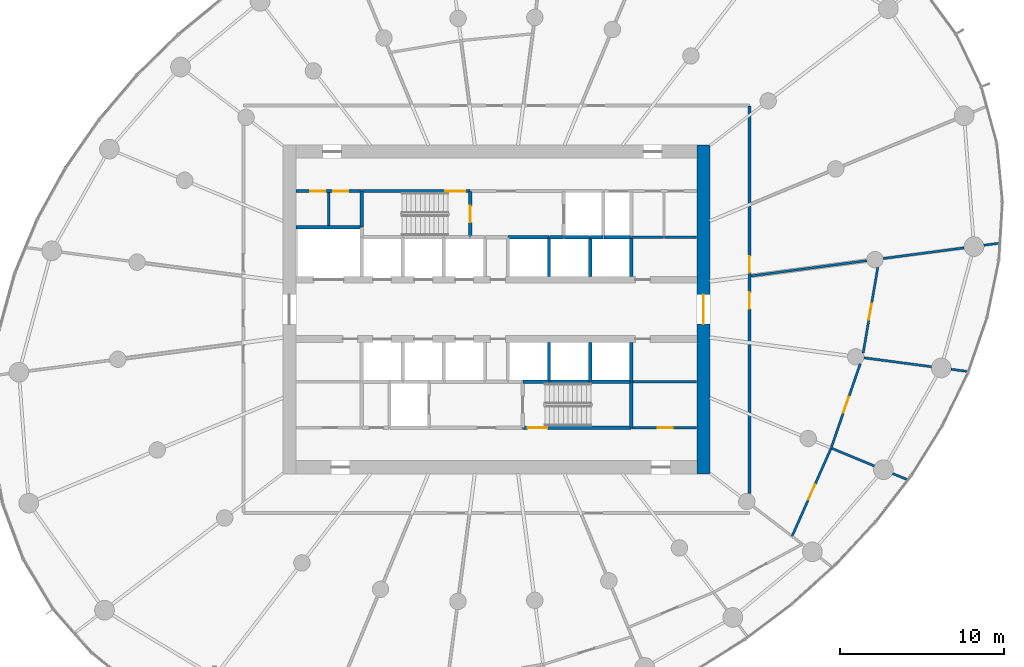
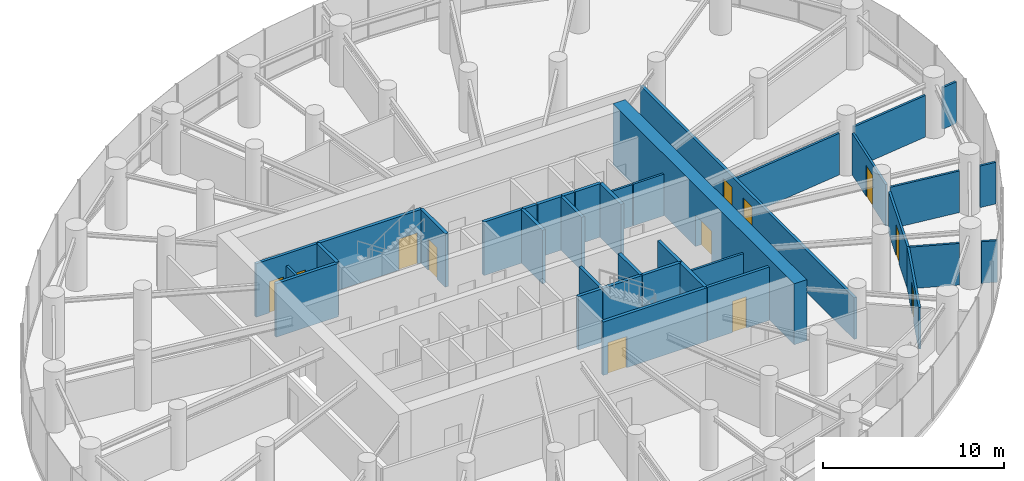
# One storey, part 12 of 17: 38 walls, 12 doors, 12 openings.
"""IFC4 building model written with IfcOpenShell, lengths in metres."""

from ifc_helpers import new_model, si_unit, direction, frame, frame_2d, origin, place, context, subcontext, project, spatial, rectangle, extrude, source, transform, mapped, material, layer, layer_set, type_object, element, fill, save


model = new_model("IFC4")

# Units and contexts
model_context = context("Model", 3, precision=1e-05, world=origin(), true_north=direction((0.0, 1.0)))
body_context = subcontext(model_context, "Body", "Model", "MODEL_VIEW")
ifc_project = project(units=[si_unit("LENGTHUNIT", "METRE"), si_unit("AREAUNIT", "SQUARE_METRE"), si_unit("VOLUMEUNIT", "CUBIC_METRE"), si_unit("PLANEANGLEUNIT", "RADIAN"), si_unit("MASSUNIT", "GRAM", prefix="KILO")], contexts=[model_context])

# Site, building, storey
site_placement = place(None, origin())
site = spatial("IfcSite", under=ifc_project, at=site_placement, CompositionType="ELEMENT")
building_placement = place(site_placement, origin())
building = spatial("IfcBuilding", under=site, at=building_placement, Name="Spindrift Exchange Tower", CompositionType="ELEMENT")
storey_placement = place(building_placement, frame((0.0, 0.0, 124.89990234375)))
storey = spatial("IfcBuildingStorey", under=building, at=storey_placement, Name="L29", CompositionType="ELEMENT", Elevation=124.89990234375)

# Wall, opening, door
ifc_material_1 = material(Name="Concrete 65 MPa", Category="concrete")
ifc_layer_1 = layer(ifc_material_1, 0.800048828125)
ifc_layer_set_1 = layer_set([ifc_layer_1], Name="RC Core Wall 800 Concrete 65 MPa")
wall_type_1 = type_object("IfcWallType", Name="RC Core Wall 800 Concrete 65 MPa", PredefinedType="SHEAR", material=ifc_layer_set_1)
wall_1_placement = place(storey_placement, frame((64.60009765625, 38.0, 0.0), z_axis=(0.0, 0.0, 1.0), x_axis=(0.0, 1.0, 0.0)))
wall_1 = element("IfcWall", 1, at=wall_1_placement, inside=storey, type_object=wall_type_1, Name="Core wall E L29", PredefinedType="SHEAR", context=body_context, shape_type="SweptSolid", body=[
    extrude(rectangle(XDim=20.0, YDim=0.800048828125, at=frame_2d((10.0, 0.0))), origin(), (0.0, 0.0, 1.0), 4.10009765625),
])
opening_1_placement = place(wall_1_placement, frame((9.10009765625, 0.0, 0.0)))
opening_1 = element("IfcOpeningElement", 2, at=opening_1_placement, cuts=wall_1, Name="Opening L29-D2", PredefinedType="OPENING", context=body_context, shape_type="SweptSolid", body=[
    extrude(rectangle(XDim=1.800048828125, YDim=2.10009765625, at=frame_2d((0.89990234375, 1.050048828125))), frame((0.0, 0.409912109375, 0.0), z_axis=(0.0, -1.0, 0.0), x_axis=(1.0, 0.0, 0.0)), (0.0, 0.0, 1.0), 0.820068359375),
])
ifc_material_2 = material(Name="Timber-core fire door", Category="wood")
door_type_1 = type_object("IfcDoorType", Name="DR-LOBBY-1800", OperationType="NOTDEFINED", PredefinedType="DOOR", material=ifc_material_2)
shared_shape_1 = source(origin(), body_context, "Body", "SweptSolid", [
    extrude(rectangle(XDim=1.800048828125, YDim=2.10009765625, at=frame_2d((0.89990234375, 1.050048828125))), frame((0.0, 0.02490234375, 0.0), z_axis=(0.0, -1.0, 0.0), x_axis=(1.0, 0.0, 0.0)), (0.0, 0.0, 1.0), 0.050048828125),
])
door_1_placement = place(opening_1_placement, origin())
door_1 = element("IfcDoor", 3, at=door_1_placement, inside=storey, type_object=door_type_1, Name="L29 Lobby door 2", OperationType="SINGLE_SWING_LEFT", OverallHeight=2.10009765625, OverallWidth=1.800048828125, PredefinedType="DOOR", context=body_context, shape_type="MappedRepresentation", body=[
    mapped(shared_shape_1, transform((0.0, 0.0, 0.0), scale=1.0)),
])
fill(opening_1, door_1)

ifc_material_3 = material(Name="Fire-rated plasterboard partition", Category="gypsum")
ifc_layer_2 = layer(ifc_material_3, 0.179931640625)
ifc_layer_set_2 = layer_set([ifc_layer_2], Name="W-CORR-180")
wall_type_2 = type_object("IfcWallType", Name="W-CORR-180", PredefinedType="PARTITIONING", material=ifc_layer_set_2)
wall_2_placement = place(storey_placement, frame((60.22998046875, 40.800048828125, 0.0), z_axis=(0.0, 0.0, 1.0), x_axis=(1.0, 0.0, 0.0)))
wall_2 = element("IfcWall", 4, at=wall_2_placement, inside=storey, type_object=wall_type_2, Name="L29 Partition wall 61", PredefinedType="PARTITIONING", context=body_context, shape_type="SweptSolid", body=[
    extrude(rectangle(XDim=3.949951171875, YDim=0.179931640625, at=frame_2d((1.97509765625, 0.0))), origin(), (0.0, 0.0, 1.0), 3.60009765625),
])
opening_2_placement = place(wall_2_placement, frame((1.60009765625, 0.0, 0.0)))
opening_2 = element("IfcOpeningElement", 5, at=opening_2_placement, cuts=wall_2, Name="Opening L29-D51", PredefinedType="OPENING", context=body_context, shape_type="SweptSolid", body=[
    extrude(rectangle(XDim=0.89990234375, YDim=2.10009765625, at=frame_2d((0.449951171875, 1.050048828125))), frame((0.0, 0.099853515625, 0.0), z_axis=(0.0, -1.0, 0.0), x_axis=(1.0, 0.0, 0.0)), (0.0, 0.0, 1.0), 0.199951171875),
])
ifc_material_4 = material(Name="Steel access door", Category="steel")
door_type_2 = type_object("IfcDoorType", Name="DR-RISER-900", OperationType="NOTDEFINED", PredefinedType="DOOR", material=ifc_material_4)
shared_shape_2 = source(origin(), body_context, "Body", "SweptSolid", [
    extrude(rectangle(XDim=0.89990234375, YDim=2.10009765625, at=frame_2d((0.449951171875, 1.050048828125))), frame((0.0, 0.02490234375, 0.0), z_axis=(0.0, -1.0, 0.0), x_axis=(1.0, 0.0, 0.0)), (0.0, 0.0, 1.0), 0.050048828125),
])
door_2_placement = place(opening_2_placement, origin())
door_2 = element("IfcDoor", 6, at=door_2_placement, inside=storey, type_object=door_type_2, Name="L29 Riser door 51", OperationType="SINGLE_SWING_RIGHT", OverallHeight=2.10009765625, OverallWidth=0.89990234375, PredefinedType="DOOR", context=body_context, shape_type="MappedRepresentation", body=[
    mapped(shared_shape_2, transform((0.0, 0.0, 0.0), scale=1.0)),
])
fill(opening_2, door_2)

# Wall, openings, doors
wall_3_placement = place(storey_placement, frame((43.77001953125, 55.199951171875, 0.0), z_axis=(0.0, 0.0, 1.0), x_axis=(-1.0, 0.0, 0.0)))
wall_3 = element("IfcWall", 7, at=wall_3_placement, inside=storey, type_object=wall_type_2, Name="L29 Partition wall 64", PredefinedType="PARTITIONING", context=body_context, shape_type="SweptSolid", body=[
    extrude(rectangle(XDim=3.949951171875, YDim=0.179931640625, at=frame_2d((1.97509765625, 0.0))), origin(), (0.0, 0.0, 1.0), 3.60009765625),
])
opening_3_placement = place(wall_3_placement, frame((2.199951171875, 0.0, 0.0)))
opening_3 = element("IfcOpeningElement", 8, at=opening_3_placement, cuts=wall_3, Name="Opening L29-D44", PredefinedType="OPENING", context=body_context, shape_type="SweptSolid", body=[
    extrude(rectangle(XDim=0.89990234375, YDim=2.10009765625, at=frame_2d((0.449951171875, 1.050048828125))), frame((0.0, 0.099853515625, 0.0), z_axis=(0.0, -1.0, 0.0), x_axis=(1.0, 0.0, 0.0)), (0.0, 0.0, 1.0), 0.199951171875),
])
opening_4_placement = place(wall_3_placement, frame((0.800048828125, 0.0, 0.0)))
opening_4 = element("IfcOpeningElement", 9, at=opening_4_placement, cuts=wall_3, Name="Opening L29-D45", PredefinedType="OPENING", context=body_context, shape_type="SweptSolid", body=[
    extrude(rectangle(XDim=0.89990234375, YDim=2.10009765625, at=frame_2d((0.449951171875, 1.050048828125))), frame((0.0, 0.099853515625, 0.0), z_axis=(0.0, -1.0, 0.0), x_axis=(1.0, 0.0, 0.0)), (0.0, 0.0, 1.0), 0.199951171875),
])
door_3_placement = place(opening_3_placement, origin())
door_3 = element("IfcDoor", 10, at=door_3_placement, inside=storey, type_object=door_type_2, Name="L29 Riser door 44", OperationType="SINGLE_SWING_LEFT", OverallHeight=2.10009765625, OverallWidth=0.89990234375, PredefinedType="DOOR", context=body_context, shape_type="MappedRepresentation", body=[
    mapped(shared_shape_2, transform((0.0, 0.0, 0.0), scale=1.0)),
])
fill(opening_3, door_3)
door_4_placement = place(opening_4_placement, origin())
door_4 = element("IfcDoor", 11, at=door_4_placement, inside=storey, type_object=door_type_2, Name="L29 Riser door 45", OperationType="SINGLE_SWING_RIGHT", OverallHeight=2.10009765625, OverallWidth=0.89990234375, PredefinedType="DOOR", context=body_context, shape_type="MappedRepresentation", body=[
    mapped(shared_shape_2, transform((0.0, 0.0, 0.0), scale=1.0)),
])
fill(opening_4, door_4)

# Walls
ifc_layer_3 = layer(ifc_material_3, 0.139892578125)
ifc_layer_set_3 = layer_set([ifc_layer_3], Name="W-PART-140")
wall_type_3 = type_object("IfcWallType", Name="W-PART-140", PredefinedType="PARTITIONING", material=ifc_layer_set_3)
wall_4_placement = place(storey_placement, frame((60.22998046875, 43.60009765625, 0.0), z_axis=(0.0, 0.0, 1.0), x_axis=(1.0, 0.0, 0.0)))
element("IfcWall", 12, at=wall_4_placement, inside=storey, type_object=wall_type_3, Name="L29 Partition wall 92", PredefinedType="PARTITIONING", context=body_context, shape_type="SweptSolid", body=[
    extrude(rectangle(XDim=3.949951171875, YDim=0.139892578125, at=frame_2d((1.97509765625, 0.0))), origin(), (0.0, 0.0, 1.0), 2.800048828125),
])
wall_5_placement = place(storey_placement, frame((72.39306640625, 39.552978515625, 0.0), z_axis=(0.0, 0.0, 1.0), x_axis=(0.923877031545, -0.382689470177, 0.0)))
element("IfcWall", 13, at=wall_5_placement, inside=storey, type_object=wall_type_3, Name="L29 Partition wall 97", PredefinedType="PARTITIONING", context=body_context, shape_type="SweptSolid", body=[
    extrude(rectangle(XDim=2.8095703125, YDim=0.139892578125, at=frame_2d((1.40478515625, 0.0))), origin(), (0.0, 0.0, 1.0), 2.800048828125),
])
wall_6_placement = place(storey_placement, frame((41.800048828125, 53.10009765625, 0.0), z_axis=(0.0, 0.0, 1.0), x_axis=(0.0, 1.0, 0.0)))
element("IfcWall", 14, at=wall_6_placement, inside=storey, type_object=wall_type_3, Name="L29 Partition wall 102", PredefinedType="PARTITIONING", context=body_context, shape_type="SweptSolid", body=[
    extrude(rectangle(XDim=2.010009765625, YDim=0.139892578125, at=frame_2d((1.0048828125, 0.0))), origin(), (0.0, 0.0, 1.0), 2.800048828125),
])
wall_7_placement = place(storey_placement, frame((62.169921875, 52.39990234375, 0.0), z_axis=(0.0, 0.0, 1.0), x_axis=(-1.0, 0.0, 0.0)))
element("IfcWall", 15, at=wall_7_placement, inside=storey, type_object=wall_type_3, Name="L29 Partition wall 103", PredefinedType="PARTITIONING", context=body_context, shape_type="SweptSolid", body=[
    extrude(rectangle(XDim=1.93994140625, YDim=0.139892578125, at=frame_2d((0.969970703125, 0.0))), origin(), (0.0, 0.0, 1.0), 2.800048828125),
])
wall_8_placement = place(storey_placement, frame((64.179931640625, 52.39990234375, 0.0), z_axis=(0.0, 0.0, 1.0), x_axis=(-1.0, 0.0, 0.0)))
element("IfcWall", 16, at=wall_8_placement, inside=storey, type_object=wall_type_3, Name="L29 Partition wall 104", PredefinedType="PARTITIONING", context=body_context, shape_type="SweptSolid", body=[
    extrude(rectangle(XDim=1.949951171875, YDim=0.139892578125, at=frame_2d((0.97509765625, 0.0))), origin(), (0.0, 0.0, 1.0), 2.800048828125),
])
wall_9_placement = place(storey_placement, frame((76.106689453125, 38.0146484375, 0.0), z_axis=(0.0, 0.0, 1.0), x_axis=(0.923938487003, -0.382541072612, 0.0)))
element("IfcWall", 17, at=wall_9_placement, inside=storey, type_object=wall_type_3, Name="L29 Partition wall 116", PredefinedType="PARTITIONING", context=body_context, shape_type="SweptSolid", body=[
    extrude(rectangle(XDim=0.911376953125, YDim=0.139892578125, at=frame_2d((0.45556640625, 0.0))), origin(), (0.0, 0.0, 1.0), 2.800048828125),
])
ifc_layer_4 = layer(ifc_material_3, 0.139892578125)
ifc_layer_set_4 = layer_set([ifc_layer_4], Name="W-PLANT-140")
wall_type_4 = type_object("IfcWallType", Name="W-PLANT-140", PredefinedType="PARTITIONING", material=ifc_layer_set_4)
wall_10_placement = place(storey_placement, frame((67.489990234375, 50.039306640625, 0.0), z_axis=(0.0, 0.0, 1.0), x_axis=(0.99144622305, 0.130515848849, 0.0)))
element("IfcWall", 18, at=wall_10_placement, inside=storey, type_object=wall_type_4, Name="L29 Partition wall 66", PredefinedType="PARTITIONING", context=body_context, shape_type="SweptSolid", body=[
    extrude(rectangle(XDim=7.1044921875, YDim=0.139892578125, at=frame_2d((3.55224609375, 0.0))), origin(), (0.0, 0.0, 1.0), 2.800048828125),
])

# Wall, opening, door
wall_11_placement = place(storey_placement, frame((72.365478515625, 39.564453125, 0.0), z_axis=(0.0, 0.0, 1.0), x_axis=(-0.404918707425, -0.914352689271, 0.0)))
wall_11 = element("IfcWall", 19, at=wall_11_placement, inside=storey, type_object=wall_type_4, Name="L29 Partition wall 73", PredefinedType="PARTITIONING", context=body_context, shape_type="SweptSolid", body=[
    extrude(rectangle(XDim=5.8701171875, YDim=0.139892578125, at=frame_2d((2.93505859375, 0.0))), origin(), (0.0, 0.0, 1.0), 2.800048828125),
])
opening_5_placement = place(wall_11_placement, frame((2.420166015625, 0.0, 0.0)))
opening_5 = element("IfcOpeningElement", 20, at=opening_5_placement, cuts=wall_11, Name="Opening L29-D38", PredefinedType="OPENING", context=body_context, shape_type="SweptSolid", body=[
    extrude(rectangle(XDim=1.0, YDim=2.10009765625, at=frame_2d((0.5, 1.050048828125))), frame((0.0, 0.079833984375, 0.0), z_axis=(0.0, -1.0, 0.0), x_axis=(1.0, 0.0, 0.0)), (0.0, 0.0, 1.0), 0.159912109375),
])
door_type_3 = type_object("IfcDoorType", Name="DR-ROOM-1000", OperationType="NOTDEFINED", PredefinedType="DOOR", material=ifc_material_2)
shared_shape_3 = source(origin(), body_context, "Body", "SweptSolid", [
    extrude(rectangle(XDim=1.0, YDim=2.10009765625, at=frame_2d((0.5, 1.050048828125))), frame((0.0, 0.02490234375, 0.0), z_axis=(0.0, -1.0, 0.0), x_axis=(1.0, 0.0, 0.0)), (0.0, 0.0, 1.0), 0.050048828125),
])
door_5_placement = place(opening_5_placement, origin())
door_5 = element("IfcDoor", 21, at=door_5_placement, inside=storey, type_object=door_type_3, Name="L29 Door 38", OperationType="SINGLE_SWING_LEFT", OverallHeight=2.10009765625, OverallWidth=1.0, PredefinedType="DOOR", context=body_context, shape_type="MappedRepresentation", body=[
    mapped(shared_shape_3, transform((0.0, 0.0, 0.0), scale=1.0)),
])
fill(opening_5, door_5)

wall_12_placement = place(storey_placement, frame((74.138427734375, 44.698486328125, 0.0), z_axis=(0.0, 0.0, 1.0), x_axis=(-0.32646005137, -0.945211000179, 0.0)))
wall_12 = element("IfcWall", 22, at=wall_12_placement, inside=storey, type_object=wall_type_4, Name="L29 Partition wall 77", PredefinedType="PARTITIONING", context=body_context, shape_type="SweptSolid", body=[
    extrude(rectangle(XDim=5.401611328125, YDim=0.139892578125, at=frame_2d((2.70068359375, 0.0))), origin(), (0.0, 0.0, 1.0), 2.800048828125),
])
opening_6_placement = place(wall_12_placement, frame((2.15185546875, 0.0, 0.0)))
opening_6 = element("IfcOpeningElement", 23, at=opening_6_placement, cuts=wall_12, Name="Opening L29-D39", PredefinedType="OPENING", context=body_context, shape_type="SweptSolid", body=[
    extrude(rectangle(XDim=1.0, YDim=2.10009765625, at=frame_2d((0.5, 1.050048828125))), frame((0.0, 0.079833984375, 0.0), z_axis=(0.0, -1.0, 0.0), x_axis=(1.0, 0.0, 0.0)), (0.0, 0.0, 1.0), 0.159912109375),
])
door_6_placement = place(opening_6_placement, origin())
door_6 = element("IfcDoor", 24, at=door_6_placement, inside=storey, type_object=door_type_3, Name="L29 Door 39", OperationType="SINGLE_SWING_RIGHT", OverallHeight=2.10009765625, OverallWidth=1.0, PredefinedType="DOOR", context=body_context, shape_type="MappedRepresentation", body=[
    mapped(shared_shape_3, transform((0.0, 0.0, 0.0), scale=1.0)),
])
fill(opening_6, door_6)

wall_13_placement = place(storey_placement, frame((75.20458984375, 50.557861328125, 0.0), z_axis=(0.0, 0.0, 1.0), x_axis=(-0.168509931987, -0.985699955778, 0.0)))
wall_13 = element("IfcWall", 25, at=wall_13_placement, inside=storey, type_object=wall_type_4, Name="L29 Partition wall 78", PredefinedType="PARTITIONING", context=body_context, shape_type="SweptSolid", body=[
    extrude(rectangle(XDim=5.285400390625, YDim=0.139892578125, at=frame_2d((2.642578125, 0.0))), origin(), (0.0, 0.0, 1.0), 2.800048828125),
])
opening_7_placement = place(wall_13_placement, frame((2.235107421875, 0.0, 0.0)))
opening_7 = element("IfcOpeningElement", 26, at=opening_7_placement, cuts=wall_13, Name="Opening L29-D40", PredefinedType="OPENING", context=body_context, shape_type="SweptSolid", body=[
    extrude(rectangle(XDim=1.0, YDim=2.10009765625, at=frame_2d((0.5, 1.050048828125))), frame((0.0, 0.079833984375, 0.0), z_axis=(0.0, -1.0, 0.0), x_axis=(1.0, 0.0, 0.0)), (0.0, 0.0, 1.0), 0.159912109375),
])
door_7_placement = place(opening_7_placement, origin())
door_7 = element("IfcDoor", 27, at=door_7_placement, inside=storey, type_object=door_type_3, Name="L29 Door 40", OperationType="SINGLE_SWING_LEFT", OverallHeight=2.10009765625, OverallWidth=1.0, PredefinedType="DOOR", context=body_context, shape_type="MappedRepresentation", body=[
    mapped(shared_shape_3, transform((0.0, 0.0, 0.0), scale=1.0)),
])
fill(opening_7, door_7)

# Walls
wall_14_placement = place(storey_placement, frame((75.533935546875, 51.098388671875, 0.0), z_axis=(0.0, 0.0, 1.0), x_axis=(0.991443414541, 0.130537181533, 0.0)))
element("IfcWall", 28, at=wall_14_placement, inside=storey, type_object=wall_type_4, Name="L29 Partition wall 81", PredefinedType="PARTITIONING", context=body_context, shape_type="SweptSolid", body=[
    extrude(rectangle(XDim=4.965576171875, YDim=0.139892578125, at=frame_2d((2.48291015625, 0.0))), origin(), (0.0, 0.0, 1.0), 2.800048828125),
])
wall_15_placement = place(storey_placement, frame((74.36328125, 45.055908203125, 0.0), z_axis=(0.0, 0.0, 1.0), x_axis=(0.991445054296, -0.130524726824, 0.0)))
element("IfcWall", 29, at=wall_15_placement, inside=storey, type_object=wall_type_4, Name="L29 Partition wall 91", PredefinedType="PARTITIONING", context=body_context, shape_type="SweptSolid", body=[
    extrude(rectangle(XDim=4.137451171875, YDim=0.139892578125, at=frame_2d((2.06884765625, 0.0))), origin(), (0.0, 0.0, 1.0), 2.800048828125),
])
wall_16_placement = place(storey_placement, frame((79.663818359375, 44.35791015625, 0.0), z_axis=(0.0, 0.0, 1.0), x_axis=(0.991449038396, -0.130494460661, 0.0)))
element("IfcWall", 30, at=wall_16_placement, inside=storey, type_object=wall_type_4, Name="L29 Partition wall 113", PredefinedType="PARTITIONING", context=body_context, shape_type="SweptSolid", body=[
    extrude(rectangle(XDim=0.948486328125, YDim=0.139892578125, at=frame_2d((0.47412109375, 0.0))), origin(), (0.0, 0.0, 1.0), 2.800048828125),
])
wall_17_placement = place(storey_placement, frame((81.655517578125, 51.904296875, 0.0), z_axis=(0.0, 0.0, 1.0), x_axis=(0.991460558593, 0.130406904551, 0.0)))
element("IfcWall", 31, at=wall_17_placement, inside=storey, type_object=wall_type_4, Name="L29 Partition wall 115", PredefinedType="PARTITIONING", context=body_context, shape_type="SweptSolid", body=[
    extrude(rectangle(XDim=0.928466796875, YDim=0.139892578125, at=frame_2d((0.46435546875, 0.0))), origin(), (0.0, 0.0, 1.0), 2.800048828125),
])

# Wall, openings, doors
ifc_layer_5 = layer(ifc_material_3, 0.179931640625)
ifc_layer_set_5 = layer_set([ifc_layer_5], Name="W-PLANT-180")
wall_type_5 = type_object("IfcWallType", Name="W-PLANT-180", PredefinedType="PARTITIONING", material=ifc_layer_set_5)
wall_18_placement = place(storey_placement, frame((67.39990234375, 60.3701171875, 0.0), z_axis=(0.0, 0.0, 1.0), x_axis=(0.0, -1.0, 0.0)))
wall_18 = element("IfcWall", 32, at=wall_18_placement, inside=storey, type_object=wall_type_5, Name="L29 Partition wall 59", PredefinedType="PARTITIONING", context=body_context, shape_type="SweptSolid", body=[
    extrude(rectangle(XDim=23.58251953125, YDim=0.179931640625, at=frame_2d((11.791259765625, 0.0))), origin(), (0.0, 0.0, 1.0), 2.800048828125),
])
opening_8_placement = place(wall_18_placement, frame((11.33251953125, 0.0, 0.0)))
opening_8 = element("IfcOpeningElement", 33, at=opening_8_placement, cuts=wall_18, Name="Opening L29-D37", PredefinedType="OPENING", context=body_context, shape_type="SweptSolid", body=[
    extrude(rectangle(XDim=1.0, YDim=2.10009765625, at=frame_2d((0.5, 1.050048828125))), frame((0.0, 0.099853515625, 0.0), z_axis=(0.0, -1.0, 0.0), x_axis=(1.0, 0.0, 0.0)), (0.0, 0.0, 1.0), 0.199951171875),
])
opening_9_placement = place(wall_18_placement, frame((9.132568359375, 0.0, 0.0)))
opening_9 = element("IfcOpeningElement", 34, at=opening_9_placement, cuts=wall_18, Name="Opening L29-D41", PredefinedType="OPENING", context=body_context, shape_type="SweptSolid", body=[
    extrude(rectangle(XDim=1.0, YDim=2.10009765625, at=frame_2d((0.5, 1.050048828125))), frame((0.0, 0.099853515625, 0.0), z_axis=(0.0, -1.0, 0.0), x_axis=(1.0, 0.0, 0.0)), (0.0, 0.0, 1.0), 0.199951171875),
])
door_8_placement = place(opening_8_placement, origin())
door_8 = element("IfcDoor", 35, at=door_8_placement, inside=storey, type_object=door_type_3, Name="L29 Door 37", OperationType="SINGLE_SWING_RIGHT", OverallHeight=2.10009765625, OverallWidth=1.0, PredefinedType="DOOR", context=body_context, shape_type="MappedRepresentation", body=[
    mapped(shared_shape_3, transform((0.0, 0.0, 0.0), scale=1.0)),
])
fill(opening_8, door_8)
door_9_placement = place(opening_9_placement, origin())
door_9 = element("IfcDoor", 36, at=door_9_placement, inside=storey, type_object=door_type_3, Name="L29 Door 41", OperationType="SINGLE_SWING_RIGHT", OverallHeight=2.10009765625, OverallWidth=1.0, PredefinedType="DOOR", context=body_context, shape_type="MappedRepresentation", body=[
    mapped(shared_shape_3, transform((0.0, 0.0, 0.0), scale=1.0)),
])
fill(opening_9, door_9)

# Walls
ifc_material_5 = material(Name="Concrete 40 MPa", Category="concrete")
ifc_layer_6 = layer(ifc_material_5, 0.199951171875)
ifc_layer_set_6 = layer_set([ifc_layer_6], Name="W-SHAFT-200")
wall_type_6 = type_object("IfcWallType", Name="W-SHAFT-200", PredefinedType="SOLIDWALL", material=ifc_layer_set_6)
wall_19_placement = place(storey_placement, frame((55.199951171875, 52.39990234375, 0.0), z_axis=(0.0, 0.0, 1.0), x_axis=(-1.0, 0.0, 0.0)))
element("IfcWall", 37, at=wall_19_placement, inside=storey, type_object=wall_type_6, Name="L29 Shaft wall 18", PredefinedType="SOLIDWALL", context=body_context, shape_type="SweptSolid", body=[
    extrude(rectangle(XDim=2.5, YDim=0.199951171875, at=frame_2d((1.25, 0.0))), origin(), (0.0, 0.0, 1.0), 3.60009765625),
])
wall_20_placement = place(storey_placement, frame((55.199951171875, 50.010009765625, 0.0), z_axis=(0.0, 0.0, 1.0), x_axis=(0.0, 1.0, 0.0)))
element("IfcWall", 38, at=wall_20_placement, inside=storey, type_object=wall_type_6, Name="L29 Shaft wall 34", PredefinedType="SOLIDWALL", context=body_context, shape_type="SweptSolid", body=[
    extrude(rectangle(XDim=2.360107421875, YDim=0.199951171875, at=frame_2d((1.18017578125, 0.0))), origin(), (0.0, 0.0, 1.0), 3.60009765625),
])
wall_21_placement = place(storey_placement, frame((57.699951171875, 50.010009765625, 0.0), z_axis=(0.0, 0.0, 1.0), x_axis=(0.0, 1.0, 0.0)))
element("IfcWall", 39, at=wall_21_placement, inside=storey, type_object=wall_type_6, Name="L29 Shaft wall 36", PredefinedType="SOLIDWALL", context=body_context, shape_type="SweptSolid", body=[
    extrude(rectangle(XDim=2.389892578125, YDim=0.199951171875, at=frame_2d((1.19482421875, 0.0))), origin(), (0.0, 0.0, 1.0), 3.60009765625),
])
wall_22_placement = place(storey_placement, frame((60.199951171875, 50.010009765625, 0.0), z_axis=(0.0, 0.0, 1.0), x_axis=(0.0, 1.0, 0.0)))
element("IfcWall", 40, at=wall_22_placement, inside=storey, type_object=wall_type_6, Name="L29 Shaft wall 38", PredefinedType="SOLIDWALL", context=body_context, shape_type="SweptSolid", body=[
    extrude(rectangle(XDim=2.360107421875, YDim=0.199951171875, at=frame_2d((1.18017578125, 0.0))), origin(), (0.0, 0.0, 1.0), 3.60009765625),
])
wall_23_placement = place(storey_placement, frame((60.169921875, 52.39990234375, 0.0), z_axis=(0.0, 0.0, 1.0), x_axis=(-1.0, 0.0, 0.0)))
element("IfcWall", 41, at=wall_23_placement, inside=storey, type_object=wall_type_6, Name="L29 Shaft wall 42", PredefinedType="SOLIDWALL", context=body_context, shape_type="SweptSolid", body=[
    extrude(rectangle(XDim=1.639892578125, YDim=0.199951171875, at=frame_2d((0.81982421875, 0.0))), origin(), (0.0, 0.0, 1.0), 3.60009765625),
])
wall_24_placement = place(storey_placement, frame((57.669921875, 52.39990234375, 0.0), z_axis=(0.0, 0.0, 1.0), x_axis=(-1.0, 0.0, 0.0)))
element("IfcWall", 42, at=wall_24_placement, inside=storey, type_object=wall_type_6, Name="L29 Shaft wall 47", PredefinedType="SOLIDWALL", context=body_context, shape_type="SweptSolid", body=[
    extrude(rectangle(XDim=1.5400390625, YDim=0.199951171875, at=frame_2d((0.77001953125, 0.0))), origin(), (0.0, 0.0, 1.0), 3.60009765625),
])
wall_25_placement = place(storey_placement, frame((56.070068359375, 52.39990234375, 0.0), z_axis=(0.0, 0.0, 1.0), x_axis=(-1.0, 0.0, 0.0)))
element("IfcWall", 43, at=wall_25_placement, inside=storey, type_object=wall_type_6, Name="L29 Shaft wall 53", PredefinedType="SOLIDWALL", context=body_context, shape_type="SweptSolid", body=[
    extrude(rectangle(XDim=0.840087890625, YDim=0.199951171875, at=frame_2d((0.419921875, 0.0))), origin(), (0.0, 0.0, 1.0), 3.60009765625),
])
wall_26_placement = place(storey_placement, frame((58.469970703125, 52.39990234375, 0.0), z_axis=(0.0, 0.0, 1.0), x_axis=(-1.0, 0.0, 0.0)))
element("IfcWall", 44, at=wall_26_placement, inside=storey, type_object=wall_type_6, Name="L29 Shaft wall 55", PredefinedType="SOLIDWALL", context=body_context, shape_type="SweptSolid", body=[
    extrude(rectangle(XDim=0.739990234375, YDim=0.199951171875, at=frame_2d((0.3701171875, 0.0))), origin(), (0.0, 0.0, 1.0), 3.60009765625),
])

# Wall, opening, door
ifc_layer_7 = layer(ifc_material_5, 0.199951171875)
ifc_layer_set_7 = layer_set([ifc_layer_7], Name="W-SHAFT-200-LB")
wall_type_7 = type_object("IfcWallType", Name="W-SHAFT-200-LB", PredefinedType="SOLIDWALL", material=ifc_layer_set_7)
wall_27_placement = place(storey_placement, frame((50.39990234375, 55.199951171875, 0.0), z_axis=(0.0, 0.0, 1.0), x_axis=(-1.0, 0.0, 0.0)))
wall_27 = element("IfcWall", 45, at=wall_27_placement, inside=storey, type_object=wall_type_7, Name="L29 Shaft wall 1", PredefinedType="SOLIDWALL", context=body_context, shape_type="SweptSolid", body=[
    extrude(rectangle(XDim=6.599853515625, YDim=0.199951171875, at=frame_2d((3.2998046875, 0.0))), origin(), (0.0, 0.0, 1.0), 3.60009765625),
])
opening_10_placement = place(wall_27_placement, frame((0.300048828125, 0.0, 0.0)))
opening_10 = element("IfcOpeningElement", 46, at=opening_10_placement, cuts=wall_27, Name="Opening L29-D13", PredefinedType="OPENING", context=body_context, shape_type="SweptSolid", body=[
    extrude(rectangle(XDim=1.199951171875, YDim=2.10009765625, at=frame_2d((0.60009765625, 1.050048828125))), frame((0.0, 0.10986328125, 0.0), z_axis=(0.0, -1.0, 0.0), x_axis=(1.0, 0.0, 0.0)), (0.0, 0.0, 1.0), 0.219970703125),
])
ifc_material_6 = material(Name="Steel fire door", Category="steel")
door_type_4 = type_object("IfcDoorType", Name="DR-STAIR-1200", OperationType="NOTDEFINED", PredefinedType="DOOR", material=ifc_material_6)
shared_shape_4 = source(origin(), body_context, "Body", "SweptSolid", [
    extrude(rectangle(XDim=1.199951171875, YDim=2.10009765625, at=frame_2d((0.60009765625, 1.050048828125))), frame((0.0, 0.02490234375, 0.0), z_axis=(0.0, -1.0, 0.0), x_axis=(1.0, 0.0, 0.0)), (0.0, 0.0, 1.0), 0.050048828125),
])
door_10_placement = place(opening_10_placement, origin())
door_10 = element("IfcDoor", 47, at=door_10_placement, inside=storey, type_object=door_type_4, Name="L29 Stair door 13", OperationType="SINGLE_SWING_RIGHT", OverallHeight=2.10009765625, OverallWidth=1.199951171875, PredefinedType="DOOR", context=body_context, shape_type="MappedRepresentation", body=[
    mapped(shared_shape_4, transform((0.0, 0.0, 0.0), scale=1.0)),
])
fill(opening_10, door_10)

wall_28_placement = place(storey_placement, frame((53.60009765625, 40.800048828125, 0.0), z_axis=(0.0, 0.0, 1.0), x_axis=(1.0, 0.0, 0.0)))
wall_28 = element("IfcWall", 48, at=wall_28_placement, inside=storey, type_object=wall_type_7, Name="L29 Shaft wall 2", PredefinedType="SOLIDWALL", context=body_context, shape_type="SweptSolid", body=[
    extrude(rectangle(XDim=6.599853515625, YDim=0.199951171875, at=frame_2d((3.2998046875, 0.0))), origin(), (0.0, 0.0, 1.0), 3.60009765625),
])
opening_11_placement = place(wall_28_placement, frame((0.300048828125, 0.0, 0.0)))
opening_11 = element("IfcOpeningElement", 49, at=opening_11_placement, cuts=wall_28, Name="Opening L29-D16", PredefinedType="OPENING", context=body_context, shape_type="SweptSolid", body=[
    extrude(rectangle(XDim=1.199951171875, YDim=2.10009765625, at=frame_2d((0.60009765625, 1.050048828125))), frame((0.0, 0.10986328125, 0.0), z_axis=(0.0, -1.0, 0.0), x_axis=(1.0, 0.0, 0.0)), (0.0, 0.0, 1.0), 0.219970703125),
])
door_11_placement = place(opening_11_placement, origin())
door_11 = element("IfcDoor", 50, at=door_11_placement, inside=storey, type_object=door_type_4, Name="L29 Stair door 16", OperationType="SINGLE_SWING_LEFT", OverallHeight=2.10009765625, OverallWidth=1.199951171875, PredefinedType="DOOR", context=body_context, shape_type="MappedRepresentation", body=[
    mapped(shared_shape_4, transform((0.0, 0.0, 0.0), scale=1.0)),
])
fill(opening_11, door_11)

# Wall
wall_29_placement = place(storey_placement, frame((43.800048828125, 53.0, 0.0), z_axis=(0.0, 0.0, 1.0), x_axis=(-1.0, 0.0, 0.0)))
element("IfcWall", 51, at=wall_29_placement, inside=storey, type_object=wall_type_7, Name="L29 Shaft wall 5", PredefinedType="SOLIDWALL", context=body_context, shape_type="SweptSolid", body=[
    extrude(rectangle(XDim=3.97998046875, YDim=0.199951171875, at=frame_2d((1.989990234375, 0.0))), origin(), (0.0, 0.0, 1.0), 3.60009765625),
])

# Wall, opening, door
wall_30_placement = place(storey_placement, frame((50.39990234375, 52.39990234375, 0.0), z_axis=(0.0, 0.0, 1.0), x_axis=(0.0, 1.0, 0.0)))
wall_30 = element("IfcWall", 52, at=wall_30_placement, inside=storey, type_object=wall_type_7, Name="L29 Shaft wall 9", PredefinedType="SOLIDWALL", context=body_context, shape_type="SweptSolid", body=[
    extrude(rectangle(XDim=2.77001953125, YDim=0.199951171875, at=frame_2d((1.385009765625, 0.0))), origin(), (0.0, 0.0, 1.0), 3.60009765625),
])
opening_12_placement = place(wall_30_placement, frame((0.89990234375, 0.0, 0.0)))
opening_12 = element("IfcOpeningElement", 53, at=opening_12_placement, cuts=wall_30, Name="Opening L29-D14", PredefinedType="OPENING", context=body_context, shape_type="SweptSolid", body=[
    extrude(rectangle(XDim=1.0, YDim=2.10009765625, at=frame_2d((0.5, 1.050048828125))), frame((0.0, 0.10986328125, 0.0), z_axis=(0.0, -1.0, 0.0), x_axis=(1.0, 0.0, 0.0)), (0.0, 0.0, 1.0), 0.219970703125),
])
door_type_5 = type_object("IfcDoorType", Name="DR-STAIR-1000", OperationType="NOTDEFINED", PredefinedType="DOOR", material=ifc_material_6)
shared_shape_5 = source(origin(), body_context, "Body", "SweptSolid", [
    extrude(rectangle(XDim=1.0, YDim=2.10009765625, at=frame_2d((0.5, 1.050048828125))), frame((0.0, 0.02490234375, 0.0), z_axis=(0.0, -1.0, 0.0), x_axis=(1.0, 0.0, 0.0)), (0.0, 0.0, 1.0), 0.050048828125),
])
door_12_placement = place(opening_12_placement, origin())
door_12 = element("IfcDoor", 54, at=door_12_placement, inside=storey, type_object=door_type_5, Name="L29 Stair door 14", OperationType="SINGLE_SWING_LEFT", OverallHeight=2.10009765625, OverallWidth=1.0, PredefinedType="DOOR", context=body_context, shape_type="MappedRepresentation", body=[
    mapped(shared_shape_5, transform((0.0, 0.0, 0.0), scale=1.0)),
])
fill(opening_12, door_12)

# Walls
wall_31_placement = place(storey_placement, frame((60.199951171875, 40.830078125, 0.0), z_axis=(0.0, 0.0, 1.0), x_axis=(0.0, 1.0, 0.0)))
element("IfcWall", 55, at=wall_31_placement, inside=storey, type_object=wall_type_7, Name="L29 Shaft wall 10", PredefinedType="SOLIDWALL", context=body_context, shape_type="SweptSolid", body=[
    extrude(rectangle(XDim=2.77001953125, YDim=0.199951171875, at=frame_2d((1.385009765625, 0.0))), origin(), (0.0, 0.0, 1.0), 3.60009765625),
])
wall_32_placement = place(storey_placement, frame((55.199951171875, 43.60009765625, 0.0), z_axis=(0.0, 0.0, 1.0), x_axis=(1.0, 0.0, 0.0)))
element("IfcWall", 56, at=wall_32_placement, inside=storey, type_object=wall_type_7, Name="L29 Shaft wall 19", PredefinedType="SOLIDWALL", context=body_context, shape_type="SweptSolid", body=[
    extrude(rectangle(XDim=2.5, YDim=0.199951171875, at=frame_2d((1.25, 0.0))), origin(), (0.0, 0.0, 1.0), 3.60009765625),
])
wall_33_placement = place(storey_placement, frame((57.72998046875, 43.60009765625, 0.0), z_axis=(0.0, 0.0, 1.0), x_axis=(1.0, 0.0, 0.0)))
element("IfcWall", 57, at=wall_33_placement, inside=storey, type_object=wall_type_7, Name="L29 Shaft wall 20", PredefinedType="SOLIDWALL", context=body_context, shape_type="SweptSolid", body=[
    extrude(rectangle(XDim=2.43994140625, YDim=0.199951171875, at=frame_2d((1.219970703125, 0.0))), origin(), (0.0, 0.0, 1.0), 3.60009765625),
])
for number, where, z_axis, x_axis, name in (
    (58, (55.199951171875, 43.6298828125, 0.0), (0.0, 0.0, 1.0), (0.0, 1.0, 0.0), "L29 Shaft wall 33"),
    (59, (57.699951171875, 43.6298828125, 0.0), (0.0, 0.0, 1.0), (0.0, 1.0, 0.0), "L29 Shaft wall 35"),
    (60, (60.199951171875, 43.6298828125, 0.0), (0.0, 0.0, 1.0), (0.0, 1.0, 0.0), "L29 Shaft wall 37"),
):
    element("IfcWall", number, at=place(storey_placement, frame(where, z_axis=z_axis, x_axis=x_axis)), inside=storey, type_object=wall_type_7, Name=name, PredefinedType="SOLIDWALL", context=body_context, shape_type="SweptSolid", body=[
        extrude(rectangle(XDim=2.360107421875, YDim=0.199951171875, at=frame_2d((1.18017578125, 0.0))), origin(), (0.0, 0.0, 1.0), 3.60009765625),
    ])
wall_34_placement = place(storey_placement, frame((43.800048828125, 55.169921875, 0.0), z_axis=(0.0, 0.0, 1.0), x_axis=(0.0, -1.0, 0.0)))
element("IfcWall", 61, at=wall_34_placement, inside=storey, type_object=wall_type_7, Name="L29 Shaft wall 39", PredefinedType="SOLIDWALL", context=body_context, shape_type="SweptSolid", body=[
    extrude(rectangle(XDim=2.139892578125, YDim=0.199951171875, at=frame_2d((1.06982421875, 0.0))), origin(), (0.0, 0.0, 1.0), 3.60009765625),
])
wall_35_placement = place(storey_placement, frame((53.6298828125, 43.60009765625, 0.0), z_axis=(0.0, 0.0, 1.0), x_axis=(1.0, 0.0, 0.0)))
element("IfcWall", 62, at=wall_35_placement, inside=storey, type_object=wall_type_7, Name="L29 Shaft wall 46", PredefinedType="SOLIDWALL", context=body_context, shape_type="SweptSolid", body=[
    extrude(rectangle(XDim=1.5400390625, YDim=0.199951171875, at=frame_2d((0.77001953125, 0.0))), origin(), (0.0, 0.0, 1.0), 3.60009765625),
])

save(model, "model.ifc")
